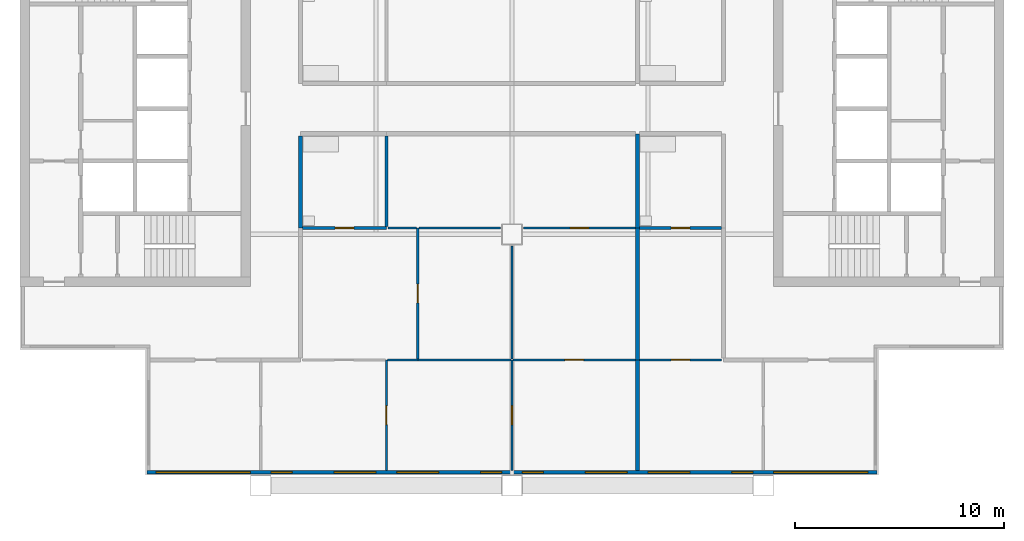
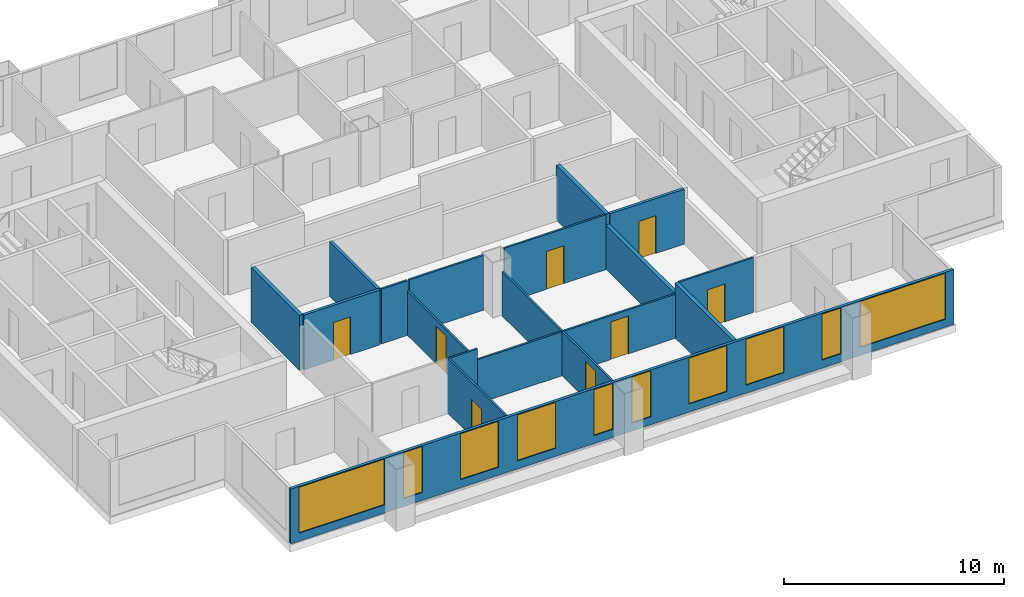
# One storey, part 2 of 8: 19 walls, 10 windows, 8 doors, 18 openings.
"""IFC4 building model written with IfcOpenShell, lengths in metres."""

from ifc_helpers import new_model, si_unit, direction, frame, frame_2d, origin, place, context, subcontext, project, spatial, rectangle, extrude, material, layer, layer_set, type_object, element, fill, save


model = new_model("IFC4")

# Units and contexts
model_context = context("Model", 3, precision=1e-05, world=origin(), true_north=direction((0.0, 1.0)))
body_context = subcontext(model_context, "Body", "Model", "MODEL_VIEW")
ifc_project = project(units=[si_unit("LENGTHUNIT", "METRE"), si_unit("AREAUNIT", "SQUARE_METRE"), si_unit("VOLUMEUNIT", "CUBIC_METRE"), si_unit("PLANEANGLEUNIT", "RADIAN"), si_unit("MASSUNIT", "GRAM", prefix="KILO")], contexts=[model_context])

# Site, building, storey
site_placement = place(None, origin())
site = spatial("IfcSite", under=ifc_project, at=site_placement, CompositionType="ELEMENT")
building_placement = place(site_placement, origin())
building = spatial("IfcBuilding", under=site, at=building_placement, Name="Kitamizu Gate Tower and Museum", CompositionType="ELEMENT")
storey_placement = place(building_placement, frame((0.0, 0.0, 262.800048828125)))
storey = spatial("IfcBuildingStorey", under=building, at=storey_placement, Name="L71", CompositionType="ELEMENT", Elevation=262.800048828125)

# Wall, opening, door
ifc_material_1 = material(Name="Gypsum board on galvanised stud")
ifc_layer_1 = layer(ifc_material_1, 0.10009765625)
ifc_layer_set_1 = layer_set([ifc_layer_1], Name="Gypsum board on galvanised stud")
wall_type_1 = type_object("IfcWallType", Name="Partition 100 NOT RATED", PredefinedType="PARTITIONING", material=ifc_layer_set_1)
wall_1_placement = place(storey_placement, frame((30.0, 12.719970703125, 0.0), z_axis=(0.0, 0.0, 1.0), x_axis=(0.0, 1.0, 0.0)))
wall_1 = element("IfcWall", 1, at=wall_1_placement, inside=storey, type_object=wall_type_1, Name="Partition L71-003", PredefinedType="PARTITIONING", context=body_context, shape_type="SweptSolid", body=[
    extrude(rectangle(XDim=5.280029296875, YDim=0.10009765625, at=frame_2d((2.64013671875, 0.0))), origin(), (0.0, 0.0, 1.0), 3.050048828125),
])
opening_1_placement = place(wall_1_placement, frame((2.18994140625, 0.0, 0.0)))
opening_1 = element("IfcOpeningElement", 2, at=opening_1_placement, cuts=wall_1, Name="Opening L71-003", PredefinedType="OPENING", context=body_context, shape_type="SweptSolid", body=[
    extrude(rectangle(XDim=0.89990234375, YDim=2.10009765625, at=frame_2d((0.449951171875, 1.050048828125))), frame((0.0, 0.06005859375, 0.0), z_axis=(0.0, -1.0, 0.0), x_axis=(1.0, 0.0, 0.0)), (0.0, 0.0, 1.0), 0.1201171875),
])
ifc_material_2 = material(Name="Timber door set", Category="wood")
door_type_1 = type_object("IfcDoorType", Name="Room door 900", OperationType="NOTDEFINED", PredefinedType="DOOR", material=ifc_material_2)
door_1_placement = place(opening_1_placement, origin())
door_1 = element("IfcDoor", 3, at=door_1_placement, inside=storey, type_object=door_type_1, Name="Door L71-003", OperationType="SINGLE_SWING_RIGHT", OverallHeight=2.10009765625, OverallWidth=0.89990234375, PredefinedType="DOOR", context=body_context, shape_type="SweptSolid", body=[
    extrude(rectangle(XDim=0.89990234375, YDim=2.10009765625, at=frame_2d((0.449951171875, 1.050048828125))), frame((0.0, 0.02490234375, 0.0), z_axis=(0.0, -1.0, 0.0), x_axis=(1.0, 0.0, 0.0)), (0.0, 0.0, 1.0), 0.050048828125),
])
fill(opening_1, door_1)

wall_2_placement = place(storey_placement, frame((36.0, 12.719970703125, 0.0), z_axis=(0.0, 0.0, 1.0), x_axis=(0.0, 1.0, 0.0)))
wall_2 = element("IfcWall", 4, at=wall_2_placement, inside=storey, type_object=wall_type_1, Name="Partition L71-006", PredefinedType="PARTITIONING", context=body_context, shape_type="SweptSolid", body=[
    extrude(rectangle(XDim=5.280029296875, YDim=0.10009765625, at=frame_2d((2.64013671875, 0.0))), origin(), (0.0, 0.0, 1.0), 2.449951171875),
])
opening_2_placement = place(wall_2_placement, frame((2.18994140625, 0.0, 0.0)))
opening_2 = element("IfcOpeningElement", 5, at=opening_2_placement, cuts=wall_2, Name="Opening L71-004", PredefinedType="OPENING", context=body_context, shape_type="SweptSolid", body=[
    extrude(rectangle(XDim=0.89990234375, YDim=2.10009765625, at=frame_2d((0.449951171875, 1.050048828125))), frame((0.0, 0.06005859375, 0.0), z_axis=(0.0, -1.0, 0.0), x_axis=(1.0, 0.0, 0.0)), (0.0, 0.0, 1.0), 0.1201171875),
])
door_2_placement = place(opening_2_placement, origin())
door_2 = element("IfcDoor", 6, at=door_2_placement, inside=storey, type_object=door_type_1, Name="Door L71-004", OperationType="SINGLE_SWING_LEFT", OverallHeight=2.10009765625, OverallWidth=0.89990234375, PredefinedType="DOOR", context=body_context, shape_type="SweptSolid", body=[
    extrude(rectangle(XDim=0.89990234375, YDim=2.10009765625, at=frame_2d((0.449951171875, 1.050048828125))), frame((0.0, 0.02490234375, 0.0), z_axis=(0.0, -1.0, 0.0), x_axis=(1.0, 0.0, 0.0)), (0.0, 0.0, 1.0), 0.050048828125),
])
fill(opening_2, door_2)

# Walls
wall_3_placement = place(storey_placement, frame((31.5, 18.0, 0.0), z_axis=(0.0, 0.0, 1.0), x_axis=(-1.0, 0.0, 0.0)))
element("IfcWall", 7, at=wall_3_placement, inside=storey, type_object=wall_type_1, Name="Partition L71-007", PredefinedType="PARTITIONING", context=body_context, shape_type="SweptSolid", body=[
    extrude(rectangle(XDim=1.449951171875, YDim=0.10009765625, at=frame_2d((0.72509765625, 0.0))), origin(), (0.0, 0.0, 1.0), 3.050048828125),
])
wall_4_placement = place(storey_placement, frame((35.949951171875, 18.0, 0.0), z_axis=(0.0, 0.0, 1.0), x_axis=(-1.0, 0.0, 0.0)))
element("IfcWall", 8, at=wall_4_placement, inside=storey, type_object=wall_type_1, Name="Partition L71-008", PredefinedType="PARTITIONING", context=body_context, shape_type="SweptSolid", body=[
    extrude(rectangle(XDim=4.449951171875, YDim=0.10009765625, at=frame_2d((2.22509765625, 0.0))), origin(), (0.0, 0.0, 1.0), 2.449951171875),
])

# Wall, opening, door
wall_5_placement = place(storey_placement, frame((41.89990234375, 18.0, 0.0), z_axis=(0.0, 0.0, 1.0), x_axis=(-1.0, 0.0, 0.0)))
wall_5 = element("IfcWall", 9, at=wall_5_placement, inside=storey, type_object=wall_type_1, Name="Partition L71-009", PredefinedType="PARTITIONING", context=body_context, shape_type="SweptSolid", body=[
    extrude(rectangle(XDim=5.849853515625, YDim=0.10009765625, at=frame_2d((2.9248046875, 0.0))), origin(), (0.0, 0.0, 1.0), 2.449951171875),
])
opening_3_placement = place(wall_5_placement, frame((2.47509765625, 0.0, 0.0)))
opening_3 = element("IfcOpeningElement", 10, at=opening_3_placement, cuts=wall_5, Name="Opening L71-007", PredefinedType="OPENING", context=body_context, shape_type="SweptSolid", body=[
    extrude(rectangle(XDim=0.89990234375, YDim=2.10009765625, at=frame_2d((0.449951171875, 1.050048828125))), frame((0.0, 0.06005859375, 0.0), z_axis=(0.0, -1.0, 0.0), x_axis=(1.0, 0.0, 0.0)), (0.0, 0.0, 1.0), 0.1201171875),
])
door_3_placement = place(opening_3_placement, origin())
door_3 = element("IfcDoor", 11, at=door_3_placement, inside=storey, type_object=door_type_1, Name="Door L71-007", OperationType="SINGLE_SWING_RIGHT", OverallHeight=2.10009765625, OverallWidth=0.89990234375, PredefinedType="DOOR", context=body_context, shape_type="SweptSolid", body=[
    extrude(rectangle(XDim=0.89990234375, YDim=2.10009765625, at=frame_2d((0.449951171875, 1.050048828125))), frame((0.0, 0.02490234375, 0.0), z_axis=(0.0, -1.0, 0.0), x_axis=(1.0, 0.0, 0.0)), (0.0, 0.0, 1.0), 0.050048828125),
])
fill(opening_3, door_3)

wall_6_placement = place(storey_placement, frame((31.5, 18.050048828125, 0.0), z_axis=(0.0, 0.0, 1.0), x_axis=(0.0, 1.0, 0.0)))
wall_6 = element("IfcWall", 12, at=wall_6_placement, inside=storey, type_object=wall_type_1, Name="Partition L71-011", PredefinedType="PARTITIONING", context=body_context, shape_type="SweptSolid", body=[
    extrude(rectangle(XDim=6.25, YDim=0.10009765625, at=frame_2d((3.125, 0.0))), origin(), (0.0, 0.0, 1.0), 2.449951171875),
])
opening_4_placement = place(wall_6_placement, frame((2.675048828125, 0.0, 0.0)))
opening_4 = element("IfcOpeningElement", 13, at=opening_4_placement, cuts=wall_6, Name="Opening L71-006", PredefinedType="OPENING", context=body_context, shape_type="SweptSolid", body=[
    extrude(rectangle(XDim=0.89990234375, YDim=2.10009765625, at=frame_2d((0.449951171875, 1.050048828125))), frame((0.0, 0.06005859375, 0.0), z_axis=(0.0, -1.0, 0.0), x_axis=(1.0, 0.0, 0.0)), (0.0, 0.0, 1.0), 0.1201171875),
])
door_4_placement = place(opening_4_placement, frame((0.89990234375, 0.0, 0.0), x_axis=(-1.0, 0.0, 0.0)))
door_4 = element("IfcDoor", 14, at=door_4_placement, inside=storey, type_object=door_type_1, Name="Door L71-006", OperationType="SINGLE_SWING_RIGHT", OverallHeight=2.10009765625, OverallWidth=0.89990234375, PredefinedType="DOOR", context=body_context, shape_type="SweptSolid", body=[
    extrude(rectangle(XDim=0.89990234375, YDim=2.10009765625, at=frame_2d((0.449951171875, 1.050048828125))), frame((0.0, 0.02490234375, 0.0), z_axis=(0.0, -1.0, 0.0), x_axis=(1.0, 0.0, 0.0)), (0.0, 0.0, 1.0), 0.050048828125),
])
fill(opening_4, door_4)

# Walls
wall_7_placement = place(storey_placement, frame((31.449951171875, 24.300048828125, 0.0), z_axis=(0.0, 0.0, 1.0), x_axis=(-1.0, 0.0, 0.0)))
element("IfcWall", 15, at=wall_7_placement, inside=storey, type_object=wall_type_1, Name="Partition L71-013", PredefinedType="PARTITIONING", context=body_context, shape_type="SweptSolid", body=[
    extrude(rectangle(XDim=1.375, YDim=0.10009765625, at=frame_2d((0.6875, 0.0))), origin(), (0.0, 0.0, 1.0), 3.050048828125),
])
wall_8_placement = place(storey_placement, frame((36.0, 18.050048828125, 0.0), z_axis=(0.0, 0.0, 1.0), x_axis=(0.0, 1.0, 0.0)))
element("IfcWall", 16, at=wall_8_placement, inside=storey, type_object=wall_type_1, Name="Partition L71-016", PredefinedType="PARTITIONING", context=body_context, shape_type="SweptSolid", body=[
    extrude(rectangle(XDim=5.39990234375, YDim=0.10009765625, at=frame_2d((2.699951171875, 0.0))), origin(), (0.0, 0.0, 1.0), 2.449951171875),
])
wall_9_placement = place(storey_placement, frame((35.449951171875, 24.300048828125, 0.0), z_axis=(0.0, 0.0, 1.0), x_axis=(-1.0, 0.0, 0.0)))
element("IfcWall", 17, at=wall_9_placement, inside=storey, type_object=wall_type_1, Name="Partition L71-017", PredefinedType="PARTITIONING", context=body_context, shape_type="SweptSolid", body=[
    extrude(rectangle(XDim=3.89990234375, YDim=0.10009765625, at=frame_2d((1.949951171875, 0.0))), origin(), (0.0, 0.0, 1.0), 3.050048828125),
])

# Wall, opening, door
wall_10_placement = place(storey_placement, frame((41.89990234375, 24.300048828125, 0.0), z_axis=(0.0, 0.0, 1.0), x_axis=(-1.0, 0.0, 0.0)))
wall_10 = element("IfcWall", 18, at=wall_10_placement, inside=storey, type_object=wall_type_1, Name="Partition L71-018", PredefinedType="PARTITIONING", context=body_context, shape_type="SweptSolid", body=[
    extrude(rectangle(XDim=5.349853515625, YDim=0.10009765625, at=frame_2d((2.6748046875, 0.0))), origin(), (0.0, 0.0, 1.0), 3.050048828125),
])
opening_5_placement = place(wall_10_placement, frame((2.22509765625, 0.0, 0.0)))
opening_5 = element("IfcOpeningElement", 19, at=opening_5_placement, cuts=wall_10, Name="Opening L71-009", PredefinedType="OPENING", context=body_context, shape_type="SweptSolid", body=[
    extrude(rectangle(XDim=0.89990234375, YDim=2.10009765625, at=frame_2d((0.449951171875, 1.050048828125))), frame((0.0, 0.06005859375, 0.0), z_axis=(0.0, -1.0, 0.0), x_axis=(1.0, 0.0, 0.0)), (0.0, 0.0, 1.0), 0.1201171875),
])
door_5_placement = place(opening_5_placement, origin())
door_5 = element("IfcDoor", 20, at=door_5_placement, inside=storey, type_object=door_type_1, Name="Door L71-009", OperationType="SINGLE_SWING_RIGHT", OverallHeight=2.10009765625, OverallWidth=0.89990234375, PredefinedType="DOOR", context=body_context, shape_type="SweptSolid", body=[
    extrude(rectangle(XDim=0.89990234375, YDim=2.10009765625, at=frame_2d((0.449951171875, 1.050048828125))), frame((0.0, 0.02490234375, 0.0), z_axis=(0.0, -1.0, 0.0), x_axis=(1.0, 0.0, 0.0)), (0.0, 0.0, 1.0), 0.050048828125),
])
fill(opening_5, door_5)

wall_11_placement = place(storey_placement, frame((46.0, 18.0, 0.0), z_axis=(0.0, 0.0, 1.0), x_axis=(-1.0, 0.0, 0.0)))
wall_11 = element("IfcWall", 21, at=wall_11_placement, inside=storey, type_object=wall_type_1, Name="Partition L71-060", PredefinedType="PARTITIONING", context=body_context, shape_type="SweptSolid", body=[
    extrude(rectangle(XDim=3.89990234375, YDim=0.10009765625, at=frame_2d((1.949951171875, 0.0))), origin(), (0.0, 0.0, 1.0), 3.050048828125),
])
opening_6_placement = place(wall_11_placement, frame((1.5, 0.0, 0.0)))
opening_6 = element("IfcOpeningElement", 22, at=opening_6_placement, cuts=wall_11, Name="Opening L71-023", PredefinedType="OPENING", context=body_context, shape_type="SweptSolid", body=[
    extrude(rectangle(XDim=0.89990234375, YDim=2.10009765625, at=frame_2d((0.449951171875, 1.050048828125))), frame((0.0, 0.06005859375, 0.0), z_axis=(0.0, -1.0, 0.0), x_axis=(1.0, 0.0, 0.0)), (0.0, 0.0, 1.0), 0.1201171875),
])
door_6_placement = place(opening_6_placement, frame((0.89990234375, 0.0, 0.0), x_axis=(-1.0, 0.0, 0.0)))
door_6 = element("IfcDoor", 23, at=door_6_placement, inside=storey, type_object=door_type_1, Name="Door L71-023", OperationType="SINGLE_SWING_LEFT", OverallHeight=2.10009765625, OverallWidth=0.89990234375, PredefinedType="DOOR", context=body_context, shape_type="SweptSolid", body=[
    extrude(rectangle(XDim=0.89990234375, YDim=2.10009765625, at=frame_2d((0.449951171875, 1.050048828125))), frame((0.0, 0.02490234375, 0.0), z_axis=(0.0, -1.0, 0.0), x_axis=(1.0, 0.0, 0.0)), (0.0, 0.0, 1.0), 0.050048828125),
])
fill(opening_6, door_6)

ifc_material_3 = material(Name="Gypsum board on galvanised stud")
ifc_layer_2 = layer(ifc_material_3, 0.14990234375)
ifc_layer_set_2 = layer_set([ifc_layer_2], Name="Gypsum board on galvanised stud")
wall_type_2 = type_object("IfcWallType", Name="Partition 150", PredefinedType="PARTITIONING", material=ifc_layer_set_2)
wall_12_placement = place(storey_placement, frame((30.0, 24.300048828125, 0.0), z_axis=(0.0, 0.0, 1.0), x_axis=(-1.0, 0.0, 0.0)))
wall_12 = element("IfcWall", 24, at=wall_12_placement, inside=storey, type_object=wall_type_2, Name="Partition L71-012", PredefinedType="PARTITIONING", context=body_context, shape_type="SweptSolid", body=[
    extrude(rectangle(XDim=4.0, YDim=0.14990234375, at=frame_2d((2.0, 0.0))), origin(), (0.0, 0.0, 1.0), 3.050048828125),
])
opening_7_placement = place(wall_12_placement, frame((1.550048828125, 0.0, 0.0)))
opening_7 = element("IfcOpeningElement", 25, at=opening_7_placement, cuts=wall_12, Name="Opening L71-008", PredefinedType="OPENING", context=body_context, shape_type="SweptSolid", body=[
    extrude(rectangle(XDim=0.89990234375, YDim=2.10009765625, at=frame_2d((0.449951171875, 1.050048828125))), frame((0.0, 0.0849609375, 0.0), z_axis=(0.0, -1.0, 0.0), x_axis=(1.0, 0.0, 0.0)), (0.0, 0.0, 1.0), 0.169921875),
])
ifc_material_4 = material(Name="Timber door set", Category="wood")
door_type_2 = type_object("IfcDoorType", Name="Bathroom door 900", OperationType="NOTDEFINED", PredefinedType="DOOR", material=ifc_material_4)
door_7_placement = place(opening_7_placement, frame((0.89990234375, 0.0, 0.0), x_axis=(-1.0, 0.0, 0.0)))
door_7 = element("IfcDoor", 26, at=door_7_placement, inside=storey, type_object=door_type_2, Name="Bathroom door L71-008", OperationType="SINGLE_SWING_RIGHT", OverallHeight=2.10009765625, OverallWidth=0.89990234375, PredefinedType="DOOR", context=body_context, shape_type="SweptSolid", body=[
    extrude(rectangle(XDim=0.89990234375, YDim=2.10009765625, at=frame_2d((0.449951171875, 1.050048828125))), frame((0.0, 0.02490234375, 0.0), z_axis=(0.0, -1.0, 0.0), x_axis=(1.0, 0.0, 0.0)), (0.0, 0.0, 1.0), 0.050048828125),
])
fill(opening_7, door_7)

# Wall
wall_13_placement = place(storey_placement, frame((30.0, 24.375, 0.0), z_axis=(0.0, 0.0, 1.0), x_axis=(0.0, 1.0, 0.0)))
element("IfcWall", 27, at=wall_13_placement, inside=storey, type_object=wall_type_2, Name="Partition L71-020", PredefinedType="PARTITIONING", context=body_context, shape_type="SweptSolid", body=[
    extrude(rectangle(XDim=4.324951171875, YDim=0.14990234375, at=frame_2d((2.16259765625, 0.0))), origin(), (0.0, 0.0, 1.0), 3.050048828125),
])

# Wall, opening, door
wall_14_placement = place(storey_placement, frame((46.0, 24.300048828125, 0.0), z_axis=(0.0, 0.0, 1.0), x_axis=(-1.0, 0.0, 0.0)))
wall_14 = element("IfcWall", 28, at=wall_14_placement, inside=storey, type_object=wall_type_2, Name="Partition L71-063", PredefinedType="PARTITIONING", context=body_context, shape_type="SweptSolid", body=[
    extrude(rectangle(XDim=3.89990234375, YDim=0.14990234375, at=frame_2d((1.949951171875, 0.0))), origin(), (0.0, 0.0, 1.0), 3.050048828125),
])
opening_8_placement = place(wall_14_placement, frame((1.5, 0.0, 0.0)))
opening_8 = element("IfcOpeningElement", 29, at=opening_8_placement, cuts=wall_14, Name="Opening L71-024", PredefinedType="OPENING", context=body_context, shape_type="SweptSolid", body=[
    extrude(rectangle(XDim=0.89990234375, YDim=2.10009765625, at=frame_2d((0.449951171875, 1.050048828125))), frame((0.0, 0.0849609375, 0.0), z_axis=(0.0, -1.0, 0.0), x_axis=(1.0, 0.0, 0.0)), (0.0, 0.0, 1.0), 0.169921875),
])
door_8_placement = place(opening_8_placement, frame((0.89990234375, 0.0, 0.0), x_axis=(-1.0, 0.0, 0.0)))
door_8 = element("IfcDoor", 30, at=door_8_placement, inside=storey, type_object=door_type_2, Name="Bathroom door L71-024", OperationType="SINGLE_SWING_RIGHT", OverallHeight=2.10009765625, OverallWidth=0.89990234375, PredefinedType="DOOR", context=body_context, shape_type="SweptSolid", body=[
    extrude(rectangle(XDim=0.89990234375, YDim=2.10009765625, at=frame_2d((0.449951171875, 1.050048828125))), frame((0.0, 0.02490234375, 0.0), z_axis=(0.0, -1.0, 0.0), x_axis=(1.0, 0.0, 0.0)), (0.0, 0.0, 1.0), 0.050048828125),
])
fill(opening_8, door_8)

# Walls
ifc_material_5 = material(Name="Gypsum board on galvanised stud")
ifc_layer_3 = layer(ifc_material_5, 0.199951171875)
ifc_layer_set_3 = layer_set([ifc_layer_3], Name="Gypsum board on galvanised stud")
wall_type_3 = type_object("IfcWallType", Name="Partition 200", PredefinedType="PARTITIONING", material=ifc_layer_set_3)
wall_15_placement = place(storey_placement, frame((42.0, 12.719970703125, 0.0), z_axis=(0.0, 0.0, 1.0), x_axis=(0.0, 1.0, 0.0)))
element("IfcWall", 31, at=wall_15_placement, inside=storey, type_object=wall_type_3, Name="Partition L71-010", PredefinedType="PARTITIONING", context=body_context, shape_type="SweptSolid", body=[
    extrude(rectangle(XDim=5.280029296875, YDim=0.199951171875, at=frame_2d((2.64013671875, 0.0))), origin(), (0.0, 0.0, 1.0), 3.050048828125),
])
wall_16_placement = place(storey_placement, frame((42.0, 18.0, 0.0), z_axis=(0.0, 0.0, 1.0), x_axis=(0.0, 1.0, 0.0)))
element("IfcWall", 32, at=wall_16_placement, inside=storey, type_object=wall_type_3, Name="Partition L71-019", PredefinedType="PARTITIONING", context=body_context, shape_type="SweptSolid", body=[
    extrude(rectangle(XDim=6.300048828125, YDim=0.199951171875, at=frame_2d((3.14990234375, 0.0))), origin(), (0.0, 0.0, 1.0), 2.449951171875),
])
wall_17_placement = place(storey_placement, frame((25.89990234375, 28.699951171875, 0.0), z_axis=(0.0, 0.0, 1.0), x_axis=(0.0, -1.0, 0.0)))
element("IfcWall", 33, at=wall_17_placement, inside=storey, type_object=wall_type_3, Name="Partition L71-022", PredefinedType="PARTITIONING", context=body_context, shape_type="SweptSolid", body=[
    extrude(rectangle(XDim=4.39990234375, YDim=0.199951171875, at=frame_2d((2.199951171875, 0.0))), origin(), (0.0, 0.0, 1.0), 3.050048828125),
])
wall_18_placement = place(storey_placement, frame((42.0, 24.300048828125, 0.0), z_axis=(0.0, 0.0, 1.0), x_axis=(0.0, 1.0, 0.0)))
element("IfcWall", 34, at=wall_18_placement, inside=storey, type_object=wall_type_3, Name="Partition L71-023", PredefinedType="PARTITIONING", context=body_context, shape_type="SweptSolid", body=[
    extrude(rectangle(XDim=4.5, YDim=0.199951171875, at=frame_2d((2.25, 0.0))), origin(), (0.0, 0.0, 1.0), 3.050048828125),
])

# Wall, openings, windows
ifc_material_6 = material(Name="Bronze anodised aluminium frame with insulated spandrel and tinted glass", Category="aluminium")
ifc_layer_4 = layer(ifc_material_6, 0.14990234375)
ifc_layer_set_4 = layer_set([ifc_layer_4], Name="Bronze anodised aluminium frame with insulated spandrel and tinted glass")
wall_type_4 = type_object("IfcWallType", Name="WINDOW WALL 150 BRONZE FRAME EI 30", PredefinedType="ELEMENTEDWALL", material=ifc_layer_set_4)
wall_19_placement = place(storey_placement, frame((18.56005859375, 12.635009765625, 0.0), z_axis=(0.0, 0.0, 1.0), x_axis=(1.0, 0.0, 0.0)))
wall_19 = element("IfcWall", 35, at=wall_19_placement, inside=storey, type_object=wall_type_4, Name="Window wall south L71", PredefinedType="ELEMENTEDWALL", context=body_context, shape_type="SweptSolid", body=[
    extrude(rectangle(XDim=34.8798828125, YDim=0.14990234375, at=frame_2d((17.43994140625, 0.0))), origin(), (0.0, 0.0, 1.0), 3.050048828125),
])
opening_9_placement = place(wall_19_placement, frame((0.43994140625, 0.0, 0.449951171875)))
opening_9 = element("IfcOpeningElement", 36, at=opening_9_placement, cuts=wall_19, Name="Opening W15", PredefinedType="OPENING", context=body_context, shape_type="SweptSolid", body=[
    extrude(rectangle(XDim=4.5, YDim=2.550048828125, at=frame_2d((2.25, 1.27490234375))), frame((0.0, 0.0849609375, 0.0), z_axis=(0.0, -1.0, 0.0), x_axis=(1.0, 0.0, 0.0)), (0.0, 0.0, 1.0), 0.169921875),
])
opening_10_placement = place(wall_19_placement, frame((5.93994140625, 0.0, 0.449951171875)))
opening_10 = element("IfcOpeningElement", 37, at=opening_10_placement, cuts=wall_19, Name="Opening W26", PredefinedType="OPENING", context=body_context, shape_type="SweptSolid", body=[
    extrude(rectangle(XDim=1.0, YDim=2.550048828125, at=frame_2d((0.5, 1.27490234375))), frame((0.0, 0.0849609375, 0.0), z_axis=(0.0, -1.0, 0.0), x_axis=(1.0, 0.0, 0.0)), (0.0, 0.0, 1.0), 0.169921875),
])
opening_11_placement = place(wall_19_placement, frame((8.93994140625, 0.0, 0.449951171875)))
opening_11 = element("IfcOpeningElement", 38, at=opening_11_placement, cuts=wall_19, Name="Opening W2", PredefinedType="OPENING", context=body_context, shape_type="SweptSolid", body=[
    extrude(rectangle(XDim=2.0, YDim=2.550048828125, at=frame_2d((1.0, 1.27490234375))), frame((0.0, 0.0849609375, 0.0), z_axis=(0.0, -1.0, 0.0), x_axis=(1.0, 0.0, 0.0)), (0.0, 0.0, 1.0), 0.169921875),
])
opening_12_placement = place(wall_19_placement, frame((11.93994140625, 0.0, 0.449951171875)))
opening_12 = element("IfcOpeningElement", 39, at=opening_12_placement, cuts=wall_19, Name="Opening W2", PredefinedType="OPENING", context=body_context, shape_type="SweptSolid", body=[
    extrude(rectangle(XDim=2.0, YDim=2.550048828125, at=frame_2d((1.0, 1.27490234375))), frame((0.0, 0.0849609375, 0.0), z_axis=(0.0, -1.0, 0.0), x_axis=(1.0, 0.0, 0.0)), (0.0, 0.0, 1.0), 0.169921875),
])
opening_13_placement = place(wall_19_placement, frame((15.93994140625, 0.0, 0.449951171875)))
opening_13 = element("IfcOpeningElement", 40, at=opening_13_placement, cuts=wall_19, Name="Opening W26", PredefinedType="OPENING", context=body_context, shape_type="SweptSolid", body=[
    extrude(rectangle(XDim=1.0, YDim=2.550048828125, at=frame_2d((0.5, 1.27490234375))), frame((0.0, 0.0849609375, 0.0), z_axis=(0.0, -1.0, 0.0), x_axis=(1.0, 0.0, 0.0)), (0.0, 0.0, 1.0), 0.169921875),
])
opening_14_placement = place(wall_19_placement, frame((17.93994140625, 0.0, 0.449951171875)))
opening_14 = element("IfcOpeningElement", 41, at=opening_14_placement, cuts=wall_19, Name="Opening W26", PredefinedType="OPENING", context=body_context, shape_type="SweptSolid", body=[
    extrude(rectangle(XDim=1.0, YDim=2.550048828125, at=frame_2d((0.5, 1.27490234375))), frame((0.0, 0.0849609375, 0.0), z_axis=(0.0, -1.0, 0.0), x_axis=(1.0, 0.0, 0.0)), (0.0, 0.0, 1.0), 0.169921875),
])
opening_15_placement = place(wall_19_placement, frame((20.93994140625, 0.0, 0.449951171875)))
opening_15 = element("IfcOpeningElement", 42, at=opening_15_placement, cuts=wall_19, Name="Opening W2", PredefinedType="OPENING", context=body_context, shape_type="SweptSolid", body=[
    extrude(rectangle(XDim=2.0, YDim=2.550048828125, at=frame_2d((1.0, 1.27490234375))), frame((0.0, 0.0849609375, 0.0), z_axis=(0.0, -1.0, 0.0), x_axis=(1.0, 0.0, 0.0)), (0.0, 0.0, 1.0), 0.169921875),
])
opening_16_placement = place(wall_19_placement, frame((23.93994140625, 0.0, 0.449951171875)))
opening_16 = element("IfcOpeningElement", 43, at=opening_16_placement, cuts=wall_19, Name="Opening W2", PredefinedType="OPENING", context=body_context, shape_type="SweptSolid", body=[
    extrude(rectangle(XDim=2.0, YDim=2.550048828125, at=frame_2d((1.0, 1.27490234375))), frame((0.0, 0.0849609375, 0.0), z_axis=(0.0, -1.0, 0.0), x_axis=(1.0, 0.0, 0.0)), (0.0, 0.0, 1.0), 0.169921875),
])
opening_17_placement = place(wall_19_placement, frame((27.93994140625, 0.0, 0.449951171875)))
opening_17 = element("IfcOpeningElement", 44, at=opening_17_placement, cuts=wall_19, Name="Opening W26", PredefinedType="OPENING", context=body_context, shape_type="SweptSolid", body=[
    extrude(rectangle(XDim=1.0, YDim=2.550048828125, at=frame_2d((0.5, 1.27490234375))), frame((0.0, 0.0849609375, 0.0), z_axis=(0.0, -1.0, 0.0), x_axis=(1.0, 0.0, 0.0)), (0.0, 0.0, 1.0), 0.169921875),
])
opening_18_placement = place(wall_19_placement, frame((29.93994140625, 0.0, 0.449951171875)))
opening_18 = element("IfcOpeningElement", 45, at=opening_18_placement, cuts=wall_19, Name="Opening W15", PredefinedType="OPENING", context=body_context, shape_type="SweptSolid", body=[
    extrude(rectangle(XDim=4.5, YDim=2.550048828125, at=frame_2d((2.25, 1.27490234375))), frame((0.0, 0.0849609375, 0.0), z_axis=(0.0, -1.0, 0.0), x_axis=(1.0, 0.0, 0.0)), (0.0, 0.0, 1.0), 0.169921875),
])
ifc_material_7 = material(Name="Bronze anodised aluminium frame, tinted triple glazing", Category="aluminium")
window_type_1 = type_object("IfcWindowType", Name="WINDOW 1000 x 2550 SILL 450", PartitioningType="SINGLE_PANEL", PredefinedType="WINDOW", material=ifc_material_7)
window_1_placement = place(opening_10_placement, origin())
window_1 = element("IfcWindow", 46, at=window_1_placement, inside=storey, type_object=window_type_1, Name="Window W26 L71", OverallHeight=2.550048828125, OverallWidth=1.0, PartitioningType="SINGLE_PANEL", PredefinedType="WINDOW", context=body_context, shape_type="SweptSolid", body=[
    extrude(rectangle(XDim=1.0, YDim=2.550048828125, at=frame_2d((0.5, 1.27490234375))), frame((0.0, 0.030029296875, 0.0), z_axis=(0.0, -1.0, 0.0), x_axis=(1.0, 0.0, 0.0)), (0.0, 0.0, 1.0), 0.06005859375),
])
fill(opening_10, window_1)
window_2_placement = place(opening_13_placement, origin())
window_2 = element("IfcWindow", 47, at=window_2_placement, inside=storey, type_object=window_type_1, Name="Window W26 L71", OverallHeight=2.550048828125, OverallWidth=1.0, PartitioningType="SINGLE_PANEL", PredefinedType="WINDOW", context=body_context, shape_type="SweptSolid", body=[
    extrude(rectangle(XDim=1.0, YDim=2.550048828125, at=frame_2d((0.5, 1.27490234375))), frame((0.0, 0.030029296875, 0.0), z_axis=(0.0, -1.0, 0.0), x_axis=(1.0, 0.0, 0.0)), (0.0, 0.0, 1.0), 0.06005859375),
])
fill(opening_13, window_2)
window_3_placement = place(opening_14_placement, origin())
window_3 = element("IfcWindow", 48, at=window_3_placement, inside=storey, type_object=window_type_1, Name="Window W26 L71", OverallHeight=2.550048828125, OverallWidth=1.0, PartitioningType="SINGLE_PANEL", PredefinedType="WINDOW", context=body_context, shape_type="SweptSolid", body=[
    extrude(rectangle(XDim=1.0, YDim=2.550048828125, at=frame_2d((0.5, 1.27490234375))), frame((0.0, 0.030029296875, 0.0), z_axis=(0.0, -1.0, 0.0), x_axis=(1.0, 0.0, 0.0)), (0.0, 0.0, 1.0), 0.06005859375),
])
fill(opening_14, window_3)
window_4_placement = place(opening_17_placement, origin())
window_4 = element("IfcWindow", 49, at=window_4_placement, inside=storey, type_object=window_type_1, Name="Window W26 L71", OverallHeight=2.550048828125, OverallWidth=1.0, PartitioningType="SINGLE_PANEL", PredefinedType="WINDOW", context=body_context, shape_type="SweptSolid", body=[
    extrude(rectangle(XDim=1.0, YDim=2.550048828125, at=frame_2d((0.5, 1.27490234375))), frame((0.0, 0.030029296875, 0.0), z_axis=(0.0, -1.0, 0.0), x_axis=(1.0, 0.0, 0.0)), (0.0, 0.0, 1.0), 0.06005859375),
])
fill(opening_17, window_4)
ifc_material_8 = material(Name="Bronze anodised aluminium frame, tinted triple glazing", Category="aluminium")
window_type_2 = type_object("IfcWindowType", Name="WINDOW 2000 x 2550 SILL 450", PartitioningType="SINGLE_PANEL", PredefinedType="WINDOW", material=ifc_material_8)
window_5_placement = place(opening_11_placement, origin())
window_5 = element("IfcWindow", 50, at=window_5_placement, inside=storey, type_object=window_type_2, Name="Window W2 L71", OverallHeight=2.550048828125, OverallWidth=2.0, PartitioningType="SINGLE_PANEL", PredefinedType="WINDOW", context=body_context, shape_type="SweptSolid", body=[
    extrude(rectangle(XDim=2.0, YDim=2.550048828125, at=frame_2d((1.0, 1.27490234375))), frame((0.0, 0.030029296875, 0.0), z_axis=(0.0, -1.0, 0.0), x_axis=(1.0, 0.0, 0.0)), (0.0, 0.0, 1.0), 0.06005859375),
])
fill(opening_11, window_5)
window_6_placement = place(opening_12_placement, origin())
window_6 = element("IfcWindow", 51, at=window_6_placement, inside=storey, type_object=window_type_2, Name="Window W2 L71", OverallHeight=2.550048828125, OverallWidth=2.0, PartitioningType="SINGLE_PANEL", PredefinedType="WINDOW", context=body_context, shape_type="SweptSolid", body=[
    extrude(rectangle(XDim=2.0, YDim=2.550048828125, at=frame_2d((1.0, 1.27490234375))), frame((0.0, 0.030029296875, 0.0), z_axis=(0.0, -1.0, 0.0), x_axis=(1.0, 0.0, 0.0)), (0.0, 0.0, 1.0), 0.06005859375),
])
fill(opening_12, window_6)
window_7_placement = place(opening_15_placement, origin())
window_7 = element("IfcWindow", 52, at=window_7_placement, inside=storey, type_object=window_type_2, Name="Window W2 L71", OverallHeight=2.550048828125, OverallWidth=2.0, PartitioningType="SINGLE_PANEL", PredefinedType="WINDOW", context=body_context, shape_type="SweptSolid", body=[
    extrude(rectangle(XDim=2.0, YDim=2.550048828125, at=frame_2d((1.0, 1.27490234375))), frame((0.0, 0.030029296875, 0.0), z_axis=(0.0, -1.0, 0.0), x_axis=(1.0, 0.0, 0.0)), (0.0, 0.0, 1.0), 0.06005859375),
])
fill(opening_15, window_7)
window_8_placement = place(opening_16_placement, origin())
window_8 = element("IfcWindow", 53, at=window_8_placement, inside=storey, type_object=window_type_2, Name="Window W2 L71", OverallHeight=2.550048828125, OverallWidth=2.0, PartitioningType="SINGLE_PANEL", PredefinedType="WINDOW", context=body_context, shape_type="SweptSolid", body=[
    extrude(rectangle(XDim=2.0, YDim=2.550048828125, at=frame_2d((1.0, 1.27490234375))), frame((0.0, 0.030029296875, 0.0), z_axis=(0.0, -1.0, 0.0), x_axis=(1.0, 0.0, 0.0)), (0.0, 0.0, 1.0), 0.06005859375),
])
fill(opening_16, window_8)
ifc_material_9 = material(Name="Bronze anodised aluminium frame, tinted triple glazing", Category="aluminium")
window_type_3 = type_object("IfcWindowType", Name="WINDOW 4500 x 2550 SILL 450", PartitioningType="SINGLE_PANEL", PredefinedType="WINDOW", material=ifc_material_9)
window_9_placement = place(opening_9_placement, origin())
window_9 = element("IfcWindow", 54, at=window_9_placement, inside=storey, type_object=window_type_3, Name="Window W15 L71", OverallHeight=2.550048828125, OverallWidth=4.5, PartitioningType="SINGLE_PANEL", PredefinedType="WINDOW", context=body_context, shape_type="SweptSolid", body=[
    extrude(rectangle(XDim=4.5, YDim=2.550048828125, at=frame_2d((2.25, 1.27490234375))), frame((0.0, 0.030029296875, 0.0), z_axis=(0.0, -1.0, 0.0), x_axis=(1.0, 0.0, 0.0)), (0.0, 0.0, 1.0), 0.06005859375),
])
fill(opening_9, window_9)
window_10_placement = place(opening_18_placement, origin())
window_10 = element("IfcWindow", 55, at=window_10_placement, inside=storey, type_object=window_type_3, Name="Window W15 L71", OverallHeight=2.550048828125, OverallWidth=4.5, PartitioningType="SINGLE_PANEL", PredefinedType="WINDOW", context=body_context, shape_type="SweptSolid", body=[
    extrude(rectangle(XDim=4.5, YDim=2.550048828125, at=frame_2d((2.25, 1.27490234375))), frame((0.0, 0.030029296875, 0.0), z_axis=(0.0, -1.0, 0.0), x_axis=(1.0, 0.0, 0.0)), (0.0, 0.0, 1.0), 0.06005859375),
])
fill(opening_18, window_10)

save(model, "model.ifc")
